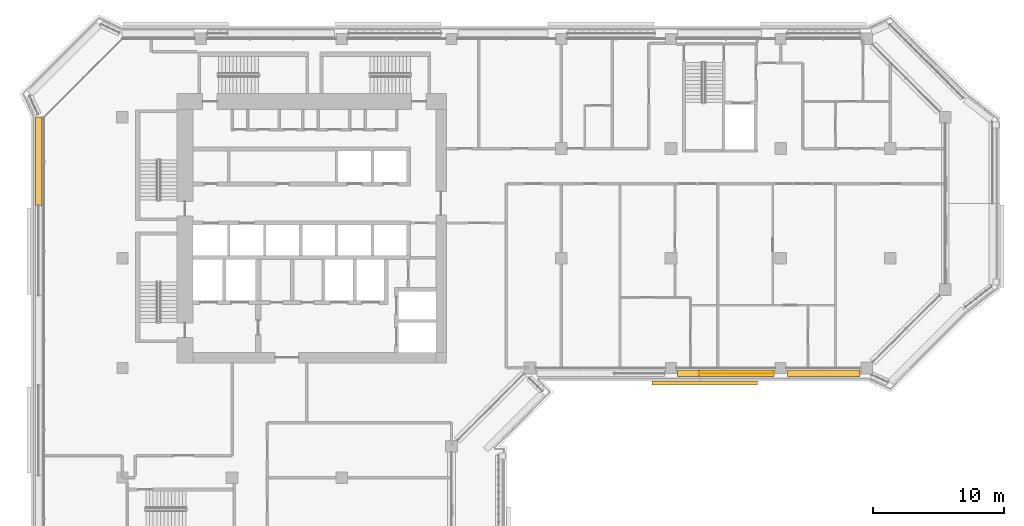
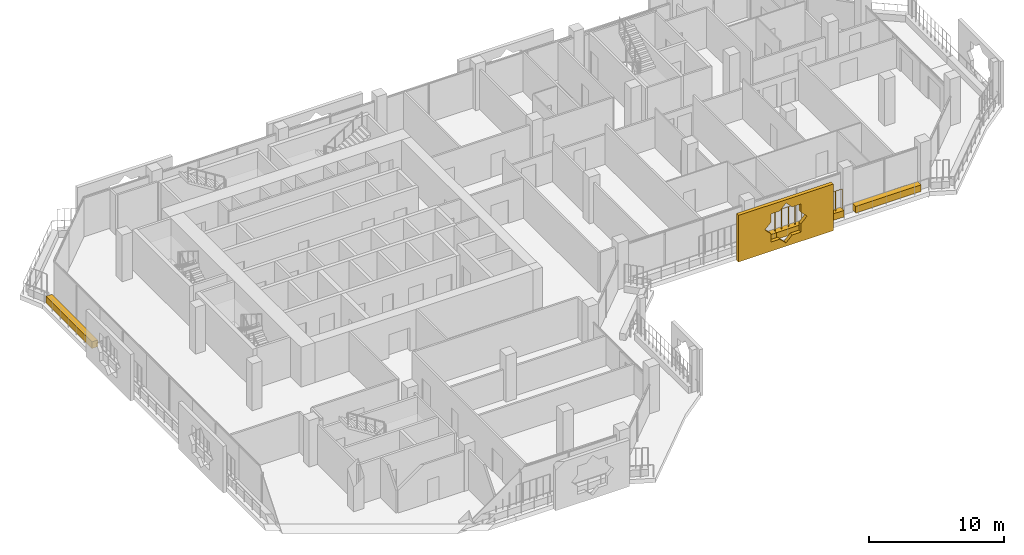
# One storey, part 18 of 21: 5 coverings, 1 railing.
"""IFC4 building model written with IfcOpenShell, lengths in metres."""

from ifc_helpers import new_model, si_unit, direction, frame, origin, origin_2d, place, context, subcontext, project, spatial, polyline, rectangle, circle, outline, extrude, material, material_profile, profile_set, type_object, element, save


model = new_model("IFC4")

# Units and contexts
model_context = context("Model", 3, precision=1e-05, world=origin(), true_north=direction((0.0, 1.0)))
body_context = subcontext(model_context, "Body", "Model", "MODEL_VIEW")
ifc_project = project(units=[si_unit("LENGTHUNIT", "METRE"), si_unit("AREAUNIT", "SQUARE_METRE"), si_unit("VOLUMEUNIT", "CUBIC_METRE"), si_unit("PLANEANGLEUNIT", "RADIAN"), si_unit("MASSUNIT", "GRAM", prefix="KILO")], contexts=[model_context])

# Site, building, storey
site_placement = place(None, origin())
site = spatial("IfcSite", under=ifc_project, at=site_placement, CompositionType="ELEMENT")
building_placement = place(site_placement, origin())
building = spatial("IfcBuilding", under=site, at=building_placement, Name="Kawkab Arch Medical Tower", CompositionType="ELEMENT")
storey_placement = place(building_placement, frame((0.0, 0.0, 260.0)))
storey = spatial("IfcBuildingStorey", under=building, at=storey_placement, Name="L60", CompositionType="ELEMENT", Elevation=260.0)

# Coverings
ifc_material_1 = material(Name="Bronze anodised aluminium mashrabiya panel, eight-point star pattern", Category="aluminium")
ifc_material_profile_1 = material_profile(ifc_material_1, outline(polyline([(-4.050048828125, -2.10009765625), (4.050048828125, -2.10009765625), (4.050048828125, 2.10009765625), (-4.050048828125, 2.10009765625), (-4.050048828125, -2.10009765625)]), holes=[polyline([(1.800048828125, 0.0), (1.272705078125, 0.527099609375), (1.272705078125, 1.272705078125), (0.527099609375, 1.272705078125), (0.0, 1.800048828125), (-0.527099609375, 1.272705078125), (-1.272705078125, 1.272705078125), (-1.272705078125, 0.527099609375), (-1.800048828125, 0.0), (-1.272705078125, -0.527099609375), (-1.272705078125, -1.272705078125), (-0.527099609375, -1.272705078125), (0.0, -1.800048828125), (0.527099609375, -1.272705078125), (1.272705078125, -1.272705078125), (1.272705078125, -0.527099609375), (1.800048828125, 0.0)])]), Name="Mashrabiya panel 8100x4200")
ifc_profile_set_1 = profile_set([ifc_material_profile_1], Name="Bronze anodised aluminium mashrabiya panel, eight-point star pattern")
covering_type_1 = type_object("IfcCoveringType", Name="Mashrabiya panel 8100 x 4200", PredefinedType="USERDEFINED", material=ifc_profile_set_1)
covering_1_placement = place(storey_placement, frame((44.59228515625, -26.199951171875, 1.699951171875), z_axis=(0.0, -1.0, 0.0), x_axis=(1.0, 0.0, 0.0)))
element("IfcCovering", 1, at=covering_1_placement, inside=storey, type_object=covering_type_1, Name="Mashrabiya panel L60.LOG-01-01.10", ObjectType="SCREEN", PredefinedType="USERDEFINED", context=body_context, shape_type="SweptSolid", body=[
    extrude(outline(polyline([(-4.050048828125, -2.10009765625), (4.050048828125, -2.10009765625), (4.050048828125, 2.10009765625), (-4.050048828125, 2.10009765625), (-4.050048828125, -2.10009765625)]), holes=[polyline([(1.800048828125, 0.0), (1.272705078125, 0.527099609375), (1.272705078125, 1.272705078125), (0.527099609375, 1.272705078125), (0.0, 1.800048828125), (-0.527099609375, 1.272705078125), (-1.272705078125, 1.272705078125), (-1.272705078125, 0.527099609375), (-1.800048828125, 0.0), (-1.272705078125, -0.527099609375), (-1.272705078125, -1.272705078125), (-0.527099609375, -1.272705078125), (0.0, -1.800048828125), (0.527099609375, -1.272705078125), (1.272705078125, -1.272705078125), (1.272705078125, -0.527099609375), (1.800048828125, 0.0)])]), origin(), (0.0, 0.0, 1.0), 0.300048828125),
])
ifc_material_2 = material(Name="Planting soil in a precast trough", Category="concrete")
ifc_material_profile_2 = material_profile(ifc_material_2, rectangle(XDim=0.5, YDim=0.60009765625, at=origin_2d()), Name="Trough 500x600")
ifc_profile_set_2 = profile_set([ifc_material_profile_2], Name="Planting soil in a precast trough")
covering_type_2 = type_object("IfcCoveringType", Name="Planter trough 500 x 600", PredefinedType="USERDEFINED", material=ifc_profile_set_2)
covering_2_placement = place(storey_placement, frame((-6.419921875, -12.763916015625, 0.300048828125), z_axis=(0.0, 1.0, 0.0), x_axis=(-1.0, 0.0, 0.0)))
element("IfcCovering", 2, at=covering_2_placement, inside=storey, type_object=covering_type_2, Name="Planter L60.LOG-01-01.12", ObjectType="PLANTER", PredefinedType="USERDEFINED", context=body_context, shape_type="SweptSolid", body=[
    extrude(rectangle(XDim=0.5, YDim=0.60009765625, at=origin_2d()), origin(), (0.0, 0.0, 1.0), 6.789794921875),
])
covering_3_placement = place(storey_placement, frame((56.469970703125, -25.6201171875, 0.300048828125), z_axis=(-1.0, 0.0, 0.0), x_axis=(0.0, -1.0, 0.0)))
element("IfcCovering", 3, at=covering_3_placement, inside=storey, type_object=covering_type_2, Name="Planter L60.LOG-01-01.32", ObjectType="PLANTER", PredefinedType="USERDEFINED", context=body_context, shape_type="SweptSolid", body=[
    extrude(rectangle(XDim=0.5, YDim=0.60009765625, at=origin_2d()), origin(), (0.0, 0.0, 1.0), 5.56494140625),
])
covering_4_placement = place(storey_placement, frame((49.89501953125, -25.6201171875, 0.300048828125), z_axis=(-1.0, 0.0, 0.0), x_axis=(0.0, -1.0, 0.0)))
element("IfcCovering", 4, at=covering_4_placement, inside=storey, type_object=covering_type_2, Name="Planter L60.LOG-01-01.33", ObjectType="PLANTER", PredefinedType="USERDEFINED", context=body_context, shape_type="SweptSolid", body=[
    extrude(rectangle(XDim=0.5, YDim=0.60009765625, at=origin_2d()), origin(), (0.0, 0.0, 1.0), 5.739990234375),
])
covering_5_placement = place(storey_placement, frame((44.155029296875, -25.6201171875, 0.300048828125), z_axis=(-1.0, 0.0, 0.0), x_axis=(0.0, -1.0, 0.0)))
element("IfcCovering", 5, at=covering_5_placement, inside=storey, type_object=covering_type_2, Name="Planter L60.LOG-01-01.34", ObjectType="PLANTER", PredefinedType="USERDEFINED", context=body_context, shape_type="SweptSolid", body=[
    extrude(rectangle(XDim=0.5, YDim=0.60009765625, at=origin_2d()), origin(), (0.0, 0.0, 1.0), 1.650146484375),
])

# Railing
ifc_material_3 = material(Name="Bronze anodised aluminium trellis for climbing plants", Category="aluminium")
railing_type = type_object("IfcRailingType", Name="Planting trellis 2400", PredefinedType="USERDEFINED", material=ifc_material_3)
railing_placement = place(storey_placement, frame((49.89501953125, -25.6201171875, 0.0)))
element("IfcRailing", 6, at=railing_placement, inside=storey, type_object=railing_type, Name="Planting trellis L60.LOG-01-01.33", ObjectType="TRELLIS", PredefinedType="USERDEFINED", context=body_context, shape_type="SweptSolid", body=[
    extrude(circle(Radius=0.01513671875, at=origin_2d()), frame((0.0, 0.0, 2.384765625), z_axis=(-1.0, 0.0, 0.0), x_axis=(0.0, -1.0, 0.0)), (0.0, 0.0, 1.0), 5.739990234375),
    extrude(circle(Radius=0.030029296875, at=origin_2d()), origin(), (0.0, 0.0, 1.0), 2.369873046875),
    extrude(circle(Radius=0.030029296875, at=origin_2d()), frame((-0.573974609375, 0.0, 0.0)), (0.0, 0.0, 1.0), 2.369873046875),
    extrude(circle(Radius=0.030029296875, at=origin_2d()), frame((-1.14794921875, 0.0, 0.0)), (0.0, 0.0, 1.0), 2.369873046875),
    extrude(circle(Radius=0.030029296875, at=origin_2d()), frame((-1.721923828125, 0.0, 0.0)), (0.0, 0.0, 1.0), 2.369873046875),
    extrude(circle(Radius=0.030029296875, at=origin_2d()), frame((-2.2958984375, 0.0, 0.0)), (0.0, 0.0, 1.0), 2.369873046875),
    extrude(circle(Radius=0.030029296875, at=origin_2d()), frame((-2.8701171875, 0.0, 0.0)), (0.0, 0.0, 1.0), 2.369873046875),
    extrude(circle(Radius=0.030029296875, at=origin_2d()), frame((-3.444091796875, 0.0, 0.0)), (0.0, 0.0, 1.0), 2.369873046875),
    extrude(circle(Radius=0.030029296875, at=origin_2d()), frame((-4.01806640625, 0.0, 0.0)), (0.0, 0.0, 1.0), 2.369873046875),
    extrude(circle(Radius=0.030029296875, at=origin_2d()), frame((-4.592041015625, 0.0, 0.0)), (0.0, 0.0, 1.0), 2.369873046875),
    extrude(circle(Radius=0.030029296875, at=origin_2d()), frame((-5.166015625, 0.0, 0.0)), (0.0, 0.0, 1.0), 2.369873046875),
    extrude(circle(Radius=0.030029296875, at=origin_2d()), frame((-5.739990234375, 0.0, 0.0)), (0.0, 0.0, 1.0), 2.369873046875),
])

save(model, "model.ifc")
